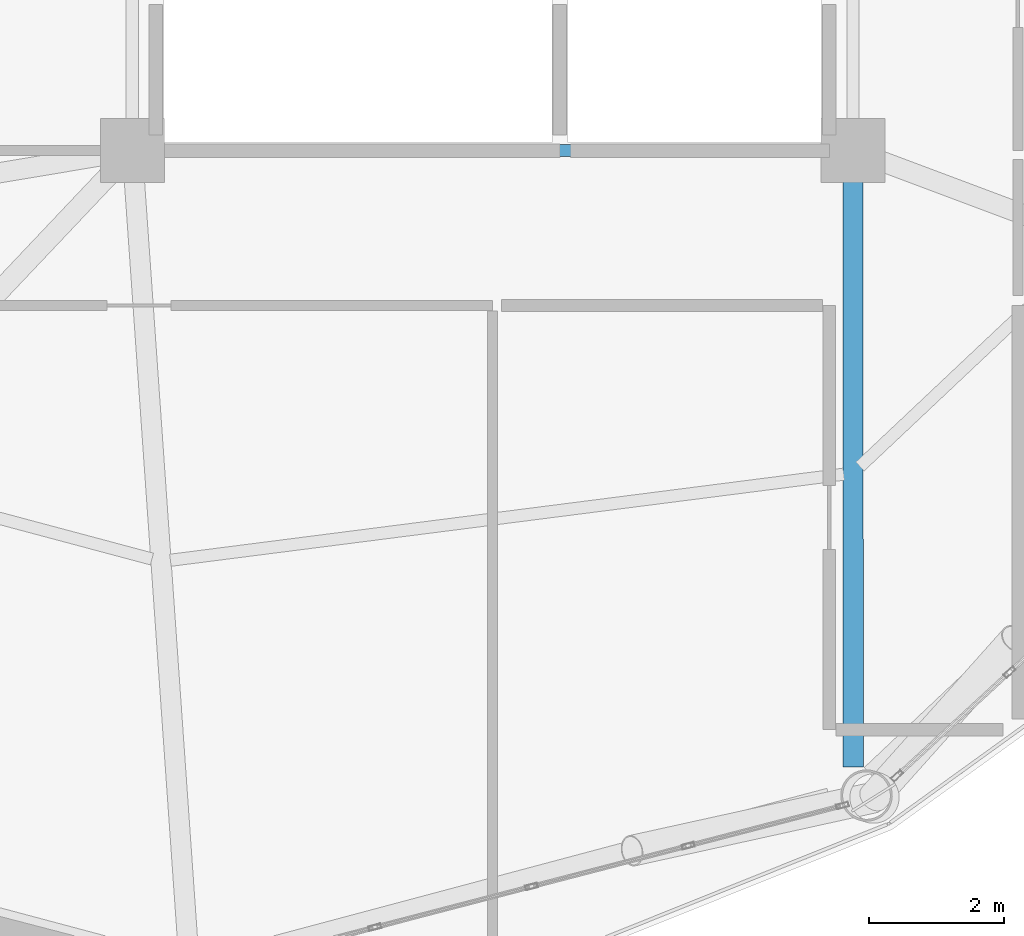
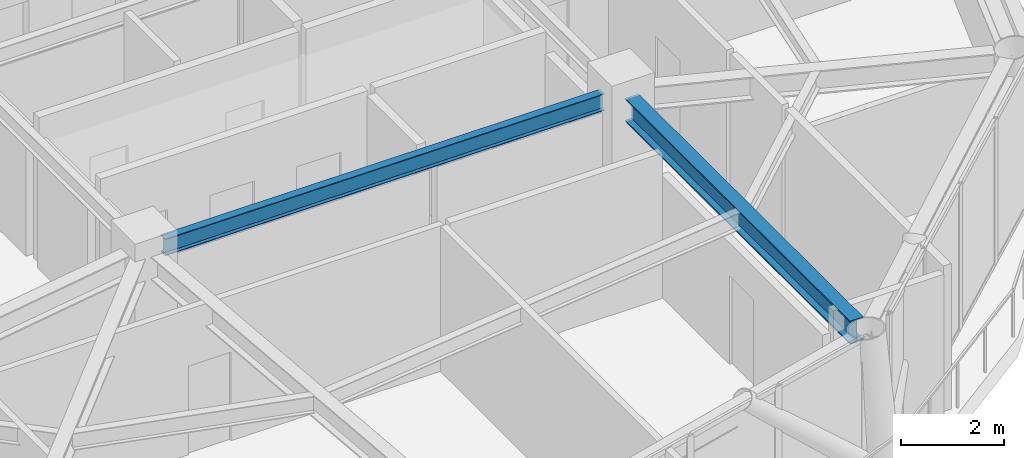
# One storey, part 9 of 26: 2 beams.
"""IFC4 building model written with IfcOpenShell, lengths in metres."""

from ifc_helpers import new_model, si_unit, direction, frame, origin, origin_2d, place, context, subcontext, project, spatial, i_section, extrude, material, material_profile, profile_set, type_object, element, save


model = new_model("IFC4")

# Units and contexts
model_context = context("Model", 3, precision=1e-05, world=origin(), true_north=direction((0.0, 1.0)))
body_context = subcontext(model_context, "Body", "Model", "MODEL_VIEW")
ifc_project = project(units=[si_unit("LENGTHUNIT", "METRE"), si_unit("AREAUNIT", "SQUARE_METRE"), si_unit("VOLUMEUNIT", "CUBIC_METRE"), si_unit("PLANEANGLEUNIT", "RADIAN"), si_unit("MASSUNIT", "GRAM", prefix="KILO")], contexts=[model_context])

# Site, building, storey
site_placement = place(None, origin())
site = spatial("IfcSite", under=ifc_project, at=site_placement, CompositionType="ELEMENT")
building_placement = place(site_placement, origin())
building = spatial("IfcBuilding", under=site, at=building_placement, Name="Varnakorn Sky Granary", CompositionType="ELEMENT")
storey_placement = place(building_placement, frame((0.0, 0.0, 169.5)))
storey = spatial("IfcBuildingStorey", under=building, at=storey_placement, Name="L42", CompositionType="ELEMENT", Elevation=169.5)

# Beams
ifc_material = material(Name="Steel S355JR", Category="steel")
ifc_material_profile_1 = material_profile(ifc_material, i_section(OverallWidth=0.300048828125, OverallDepth=0.550048828125, WebThickness=0.014892578125, FlangeThickness=0.029052734375, at=origin_2d()), Name="HE 550 B")
ifc_profile_set_1 = profile_set([ifc_material_profile_1], Name="Steel S355JR")
beam_type_1 = type_object("IfcBeamType", Name="BM-RAD-Z3", PredefinedType="BEAM", material=ifc_profile_set_1)
beam_1_placement = place(storey_placement, frame((8.350341796875, -7.02001953125, 3.175048828125), z_axis=(0.000782581722, -0.999999693783, 0.0), x_axis=(0.999999693783, 0.000782581722, 0.0)))
element("IfcBeam", 1, at=beam_1_placement, inside=storey, type_object=beam_type_1, Name="Radial Floor Girder RG11 L42", PredefinedType="BEAM", context=body_context, shape_type="SweptSolid", body=[
    extrude(i_section(OverallWidth=0.300048828125, OverallDepth=0.550048828125, WebThickness=0.014892578125, FlangeThickness=0.029052734375, at=origin_2d()), origin(), (0.0, 0.0, 1.0), 8.735107421875),
])
ifc_material_profile_2 = material_profile(ifc_material, i_section(OverallWidth=0.179931640625, OverallDepth=0.39990234375, WebThickness=0.008544921875, FlangeThickness=0.013427734375, at=origin_2d()), Name="IPE 400")
ifc_profile_set_2 = profile_set([ifc_material_profile_2], Name="Steel S355JR")
beam_type_2 = type_object("IfcBeamType", Name="BM-SEC-Z3", PredefinedType="BEAM", material=ifc_profile_set_2)
beam_2_placement = place(storey_placement, frame((-1.929931640625, -6.60009765625, 3.25), z_axis=(1.0, 0.0, 0.0), x_axis=(0.0, 1.0, 0.0)))
element("IfcBeam", 2, at=beam_2_placement, inside=storey, type_object=beam_type_2, Name="Core Spine Framing Beam 6 L42", PredefinedType="BEAM", context=body_context, shape_type="SweptSolid", body=[
    extrude(i_section(OverallWidth=0.179931640625, OverallDepth=0.39990234375, WebThickness=0.008544921875, FlangeThickness=0.013427734375, at=origin_2d()), origin(), (0.0, 0.0, 1.0), 9.85986328125),
])

save(model, "model.ifc")
